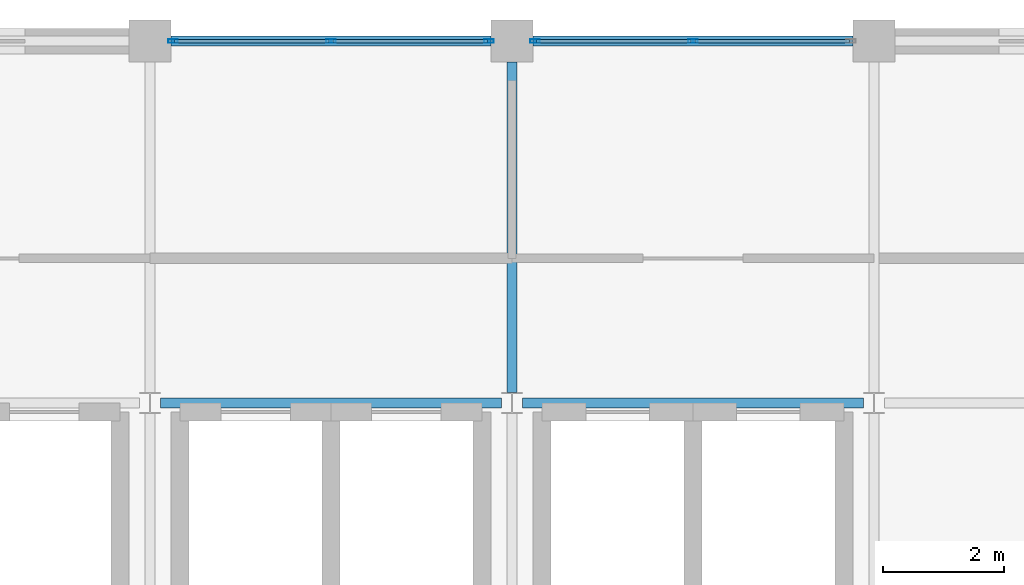
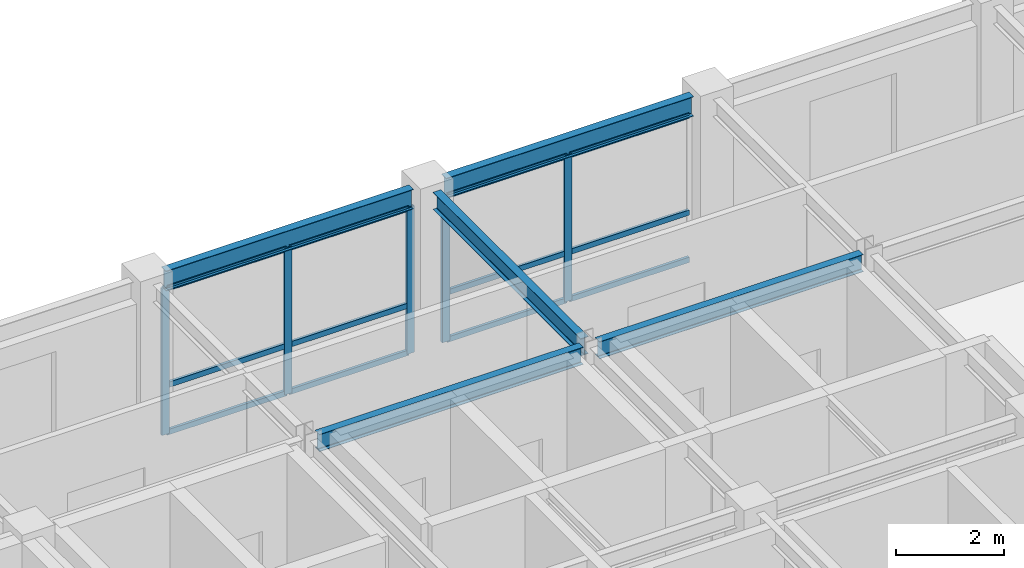
# One storey, part 7 of 15: 17 members, 5 beams, 2 elements without a shape of their own.
"""IFC4 building model written with IfcOpenShell, lengths in metres."""

from ifc_helpers import new_model, si_unit, direction, frame, origin, origin_2d, place, context, subcontext, project, spatial, hollow_rectangle, i_section, extrude, material, layer, layer_set, material_profile, profile_set, type_object, element, aggregate, save


model = new_model("IFC4")

# Units and contexts
model_context = context("Model", 3, precision=1e-05, world=origin(), true_north=direction((0.0, 1.0)))
body_context = subcontext(model_context, "Body", "Model", "MODEL_VIEW")
ifc_project = project(units=[si_unit("LENGTHUNIT", "METRE"), si_unit("AREAUNIT", "SQUARE_METRE"), si_unit("VOLUMEUNIT", "CUBIC_METRE"), si_unit("PLANEANGLEUNIT", "RADIAN"), si_unit("MASSUNIT", "GRAM", prefix="KILO")], contexts=[model_context])

# Site, building, storey
site_placement = place(None, origin())
site = spatial("IfcSite", under=ifc_project, at=site_placement, CompositionType="ELEMENT")
building_placement = place(site_placement, origin())
building = spatial("IfcBuilding", under=site, at=building_placement, Name="Zlatovratsky Civic Hall", CompositionType="ELEMENT")
storey_placement = place(building_placement, frame((0.0, 0.0, 36.60009765625)))
storey = spatial("IfcBuildingStorey", under=building, at=storey_placement, Name="L09", CompositionType="ELEMENT", Elevation=36.60009765625)

# Beams
ifc_material_1 = material(Name="Steel S355", Category="steel")
ifc_material_profile_1 = material_profile(ifc_material_1, i_section(OverallWidth=0.169921875, OverallDepth=0.446044921875, WebThickness=0.007568359375, FlangeThickness=0.010986328125, FilletRadius=0.01611328125, at=origin_2d()), Name="45B1")
ifc_profile_set_1 = profile_set([ifc_material_profile_1], Name="Steel S355")
beam_type_1 = type_object("IfcBeamType", Name="Beam_Spandrel_45B1", PredefinedType="SPANDREL", material=ifc_profile_set_1)
for number, where, z_axis, x_axis, name in (
    (1, (78.35009765625, 102.0, 3.516845703125), (1.0, 0.0, 0.0), (0.0, 1.0, 0.0), "BM-4558"),
    (2, (84.35009765625, 102.0, 3.516845703125), (1.0, 0.0, 0.0), (0.0, 1.0, 0.0), "BM-4559"),
):
    element("IfcBeam", number, at=place(storey_placement, frame(where, z_axis=z_axis, x_axis=x_axis)), inside=storey, type_object=beam_type_1, Name=name, PredefinedType="SPANDREL", context=body_context, shape_type="SweptSolid", body=[
        extrude(i_section(OverallWidth=0.169921875, OverallDepth=0.446044921875, WebThickness=0.007568359375, FlangeThickness=0.010986328125, FilletRadius=0.01611328125, at=origin_2d()), origin(), (0.0, 0.0, 1.0), 5.2998046875),
    ])
ifc_material_profile_2 = material_profile(ifc_material_1, i_section(OverallWidth=0.1650390625, OverallDepth=0.39208984375, WebThickness=0.006591796875, FlangeThickness=0.009521484375, FilletRadius=0.014892578125, at=origin_2d()), Name="40B1")
ifc_profile_set_2 = profile_set([ifc_material_profile_2], Name="Steel S355")
beam_type_2 = type_object("IfcBeamType", Name="Beam_Tie_40B1", PredefinedType="BEAM", material=ifc_profile_set_2)
for number, where, z_axis, x_axis, name in (
    (3, (78.175048828125, 96.0, 3.5439453125), (1.0, 0.0, 0.0), (0.0, 1.0, 0.0), "BM-4550"),
    (4, (84.175048828125, 96.0, 3.5439453125), (1.0, 0.0, 0.0), (0.0, 1.0, 0.0), "BM-4551"),
):
    element("IfcBeam", number, at=place(storey_placement, frame(where, z_axis=z_axis, x_axis=x_axis)), inside=storey, type_object=beam_type_2, Name=name, PredefinedType="BEAM", context=body_context, shape_type="SweptSolid", body=[
        extrude(i_section(OverallWidth=0.1650390625, OverallDepth=0.39208984375, WebThickness=0.006591796875, FlangeThickness=0.009521484375, FilletRadius=0.014892578125, at=origin_2d()), origin(), (0.0, 0.0, 1.0), 5.64990234375),
    ])
beam_placement = place(storey_placement, frame((84.0, 96.175048828125, 3.5439453125), z_axis=(0.0, 1.0, 0.0), x_axis=(-1.0, 0.0, 0.0)))
element("IfcBeam", 5, at=beam_placement, inside=storey, type_object=beam_type_2, Name="BM-4587", PredefinedType="BEAM", context=body_context, shape_type="SweptSolid", body=[
    extrude(i_section(OverallWidth=0.1650390625, OverallDepth=0.39208984375, WebThickness=0.006591796875, FlangeThickness=0.009521484375, FilletRadius=0.014892578125, at=origin_2d()), origin(), (0.0, 0.0, 1.0), 5.474853515625),
])

# Curtain wall, members
ifc_material_2 = material(Name="Anodised bronze aluminium", Category="aluminium")
ifc_layer = layer(ifc_material_2, 0.159912109375)
ifc_layer_set = layer_set([ifc_layer], Name="Anodised bronze aluminium")
curtain_wall_type = type_object("IfcCurtainWallType", Name="CurtainWall_Bronze_5300x3320_21", PredefinedType="NOTDEFINED", material=ifc_layer_set)
curtain_wall_1_placement = place(storey_placement, origin())
curtain_wall_1 = element("IfcCurtainWall", 6, at=curtain_wall_1_placement, inside=storey, type_object=curtain_wall_type, Name="CW-147", PredefinedType="NOTDEFINED")
ifc_material_profile_3 = material_profile(ifc_material_2, hollow_rectangle(XDim=0.06005859375, YDim=0.159912109375, WallThickness=0.00390625, at=origin_2d()), Name="ALU 60x160x4")
ifc_profile_set_3 = profile_set([ifc_material_profile_3], Name="Anodised bronze aluminium")
member_type_1 = type_object("IfcMemberType", Name="CW_Mullion_60x160", PredefinedType="MULLION", material=ifc_profile_set_3)
member_1_placement = place(storey_placement, frame((78.3798828125, 102.0, 0.0), z_axis=(0.0, 0.0, 1.0), x_axis=(0.0, 1.0, 0.0)))
member_1 = element("IfcMember", 7, at=member_1_placement, type_object=member_type_1, Name="CW-21 mullion 1", PredefinedType="MULLION", context=body_context, shape_type="SweptSolid", body=[
    extrude(hollow_rectangle(XDim=0.06005859375, YDim=0.159912109375, WallThickness=0.00390625, at=origin_2d()), origin(), (0.0, 0.0, 1.0), 3.31982421875),
])
member_2_placement = place(storey_placement, frame((81.0, 102.0, 0.0), z_axis=(0.0, 0.0, 1.0), x_axis=(0.0, 1.0, 0.0)))
member_2 = element("IfcMember", 8, at=member_2_placement, type_object=member_type_1, Name="CW-21 mullion 2", PredefinedType="MULLION", context=body_context, shape_type="SweptSolid", body=[
    extrude(hollow_rectangle(XDim=0.06005859375, YDim=0.159912109375, WallThickness=0.00390625, at=origin_2d()), origin(), (0.0, 0.0, 1.0), 3.31982421875),
])
member_3_placement = place(storey_placement, frame((83.6201171875, 102.0, 0.0), z_axis=(0.0, 0.0, 1.0), x_axis=(0.0, 1.0, 0.0)))
member_3 = element("IfcMember", 9, at=member_3_placement, type_object=member_type_1, Name="CW-21 mullion 3", PredefinedType="MULLION", context=body_context, shape_type="SweptSolid", body=[
    extrude(hollow_rectangle(XDim=0.06005859375, YDim=0.159912109375, WallThickness=0.00390625, at=origin_2d()), origin(), (0.0, 0.0, 1.0), 3.31982421875),
])

curtain_wall_2_placement = place(storey_placement, origin())
curtain_wall_2 = element("IfcCurtainWall", 10, at=curtain_wall_2_placement, inside=storey, type_object=curtain_wall_type, Name="CW-148", PredefinedType="NOTDEFINED")
member_4_placement = place(storey_placement, frame((84.3798828125, 102.0, 0.0), z_axis=(0.0, 0.0, 1.0), x_axis=(0.0, 1.0, 0.0)))
member_4 = element("IfcMember", 11, at=member_4_placement, type_object=member_type_1, Name="CW-21 mullion 1", PredefinedType="MULLION", context=body_context, shape_type="SweptSolid", body=[
    extrude(hollow_rectangle(XDim=0.06005859375, YDim=0.159912109375, WallThickness=0.00390625, at=origin_2d()), origin(), (0.0, 0.0, 1.0), 3.31982421875),
])
member_5_placement = place(storey_placement, frame((87.0, 102.0, 0.0), z_axis=(0.0, 0.0, 1.0), x_axis=(0.0, 1.0, 0.0)))
member_5 = element("IfcMember", 12, at=member_5_placement, type_object=member_type_1, Name="CW-21 mullion 2", PredefinedType="MULLION", context=body_context, shape_type="SweptSolid", body=[
    extrude(hollow_rectangle(XDim=0.06005859375, YDim=0.159912109375, WallThickness=0.00390625, at=origin_2d()), origin(), (0.0, 0.0, 1.0), 3.31982421875),
])

# Member
ifc_material_profile_4 = material_profile(ifc_material_2, hollow_rectangle(XDim=0.06005859375, YDim=0.1201171875, WallThickness=0.00390625, at=origin_2d()), Name="ALU 60x120x4")
ifc_profile_set_4 = profile_set([ifc_material_profile_4], Name="Anodised bronze aluminium")
member_type_2 = type_object("IfcMemberType", Name="CW_Transom_60x120", PredefinedType="USERDEFINED", material=ifc_profile_set_4)
member_6_placement = place(storey_placement, frame((78.409912109375, 102.0, 0.02978515625), z_axis=(1.0, 0.0, 0.0), x_axis=(0.0, 1.0, 0.0)))
member_6 = element("IfcMember", 13, at=member_6_placement, type_object=member_type_2, Name="CW-21 transom 1.1", ObjectType="TRANSOM", PredefinedType="USERDEFINED", context=body_context, shape_type="SweptSolid", body=[
    extrude(hollow_rectangle(XDim=0.06005859375, YDim=0.1201171875, WallThickness=0.00390625, at=origin_2d()), origin(), (0.0, 0.0, 1.0), 2.56005859375),
])

member_7_placement = place(storey_placement, frame((78.409912109375, 102.0, 1.099853515625), z_axis=(1.0, 0.0, 0.0), x_axis=(0.0, 1.0, 0.0)))
member_7 = element("IfcMember", 14, at=member_7_placement, type_object=member_type_2, Name="CW-21 transom 1.2", ObjectType="TRANSOM", PredefinedType="USERDEFINED", context=body_context, shape_type="SweptSolid", body=[
    extrude(hollow_rectangle(XDim=0.06005859375, YDim=0.1201171875, WallThickness=0.00390625, at=origin_2d()), origin(), (0.0, 0.0, 1.0), 2.56005859375),
])

member_8_placement = place(storey_placement, frame((78.409912109375, 102.0, 3.289794921875), z_axis=(1.0, 0.0, 0.0), x_axis=(0.0, 1.0, 0.0)))
member_8 = element("IfcMember", 15, at=member_8_placement, type_object=member_type_2, Name="CW-21 transom 1.3", ObjectType="TRANSOM", PredefinedType="USERDEFINED", context=body_context, shape_type="SweptSolid", body=[
    extrude(hollow_rectangle(XDim=0.06005859375, YDim=0.1201171875, WallThickness=0.00390625, at=origin_2d()), origin(), (0.0, 0.0, 1.0), 2.56005859375),
])

member_9_placement = place(storey_placement, frame((81.030029296875, 102.0, 0.02978515625), z_axis=(1.0, 0.0, 0.0), x_axis=(0.0, 1.0, 0.0)))
member_9 = element("IfcMember", 16, at=member_9_placement, type_object=member_type_2, Name="CW-21 transom 2.1", ObjectType="TRANSOM", PredefinedType="USERDEFINED", context=body_context, shape_type="SweptSolid", body=[
    extrude(hollow_rectangle(XDim=0.06005859375, YDim=0.1201171875, WallThickness=0.00390625, at=origin_2d()), origin(), (0.0, 0.0, 1.0), 2.56005859375),
])

member_10_placement = place(storey_placement, frame((81.030029296875, 102.0, 1.099853515625), z_axis=(1.0, 0.0, 0.0), x_axis=(0.0, 1.0, 0.0)))
member_10 = element("IfcMember", 17, at=member_10_placement, type_object=member_type_2, Name="CW-21 transom 2.2", ObjectType="TRANSOM", PredefinedType="USERDEFINED", context=body_context, shape_type="SweptSolid", body=[
    extrude(hollow_rectangle(XDim=0.06005859375, YDim=0.1201171875, WallThickness=0.00390625, at=origin_2d()), origin(), (0.0, 0.0, 1.0), 2.56005859375),
])

member_11_placement = place(storey_placement, frame((81.030029296875, 102.0, 3.289794921875), z_axis=(1.0, 0.0, 0.0), x_axis=(0.0, 1.0, 0.0)))
member_11 = element("IfcMember", 18, at=member_11_placement, type_object=member_type_2, Name="CW-21 transom 2.3", ObjectType="TRANSOM", PredefinedType="USERDEFINED", context=body_context, shape_type="SweptSolid", body=[
    extrude(hollow_rectangle(XDim=0.06005859375, YDim=0.1201171875, WallThickness=0.00390625, at=origin_2d()), origin(), (0.0, 0.0, 1.0), 2.56005859375),
])

aggregate(curtain_wall_1, [member_1, member_2, member_3, member_6, member_7, member_8, member_9, member_10, member_11])

member_12_placement = place(storey_placement, frame((84.409912109375, 102.0, 0.02978515625), z_axis=(1.0, 0.0, 0.0), x_axis=(0.0, 1.0, 0.0)))
member_12 = element("IfcMember", 19, at=member_12_placement, type_object=member_type_2, Name="CW-21 transom 1.1", ObjectType="TRANSOM", PredefinedType="USERDEFINED", context=body_context, shape_type="SweptSolid", body=[
    extrude(hollow_rectangle(XDim=0.06005859375, YDim=0.1201171875, WallThickness=0.00390625, at=origin_2d()), origin(), (0.0, 0.0, 1.0), 2.56005859375),
])

member_13_placement = place(storey_placement, frame((84.409912109375, 102.0, 1.099853515625), z_axis=(1.0, 0.0, 0.0), x_axis=(0.0, 1.0, 0.0)))
member_13 = element("IfcMember", 20, at=member_13_placement, type_object=member_type_2, Name="CW-21 transom 1.2", ObjectType="TRANSOM", PredefinedType="USERDEFINED", context=body_context, shape_type="SweptSolid", body=[
    extrude(hollow_rectangle(XDim=0.06005859375, YDim=0.1201171875, WallThickness=0.00390625, at=origin_2d()), origin(), (0.0, 0.0, 1.0), 2.56005859375),
])

member_14_placement = place(storey_placement, frame((84.409912109375, 102.0, 3.289794921875), z_axis=(1.0, 0.0, 0.0), x_axis=(0.0, 1.0, 0.0)))
member_14 = element("IfcMember", 21, at=member_14_placement, type_object=member_type_2, Name="CW-21 transom 1.3", ObjectType="TRANSOM", PredefinedType="USERDEFINED", context=body_context, shape_type="SweptSolid", body=[
    extrude(hollow_rectangle(XDim=0.06005859375, YDim=0.1201171875, WallThickness=0.00390625, at=origin_2d()), origin(), (0.0, 0.0, 1.0), 2.56005859375),
])

member_15_placement = place(storey_placement, frame((87.030029296875, 102.0, 0.02978515625), z_axis=(1.0, 0.0, 0.0), x_axis=(0.0, 1.0, 0.0)))
member_15 = element("IfcMember", 22, at=member_15_placement, type_object=member_type_2, Name="CW-21 transom 2.1", ObjectType="TRANSOM", PredefinedType="USERDEFINED", context=body_context, shape_type="SweptSolid", body=[
    extrude(hollow_rectangle(XDim=0.06005859375, YDim=0.1201171875, WallThickness=0.00390625, at=origin_2d()), origin(), (0.0, 0.0, 1.0), 2.56005859375),
])

member_16_placement = place(storey_placement, frame((87.030029296875, 102.0, 1.099853515625), z_axis=(1.0, 0.0, 0.0), x_axis=(0.0, 1.0, 0.0)))
member_16 = element("IfcMember", 23, at=member_16_placement, type_object=member_type_2, Name="CW-21 transom 2.2", ObjectType="TRANSOM", PredefinedType="USERDEFINED", context=body_context, shape_type="SweptSolid", body=[
    extrude(hollow_rectangle(XDim=0.06005859375, YDim=0.1201171875, WallThickness=0.00390625, at=origin_2d()), origin(), (0.0, 0.0, 1.0), 2.56005859375),
])

member_17_placement = place(storey_placement, frame((87.030029296875, 102.0, 3.289794921875), z_axis=(1.0, 0.0, 0.0), x_axis=(0.0, 1.0, 0.0)))
member_17 = element("IfcMember", 24, at=member_17_placement, type_object=member_type_2, Name="CW-21 transom 2.3", ObjectType="TRANSOM", PredefinedType="USERDEFINED", context=body_context, shape_type="SweptSolid", body=[
    extrude(hollow_rectangle(XDim=0.06005859375, YDim=0.1201171875, WallThickness=0.00390625, at=origin_2d()), origin(), (0.0, 0.0, 1.0), 2.56005859375),
])

aggregate(curtain_wall_2, [member_4, member_5, member_12, member_13, member_14, member_15, member_16, member_17])

save(model, "model.ifc")
